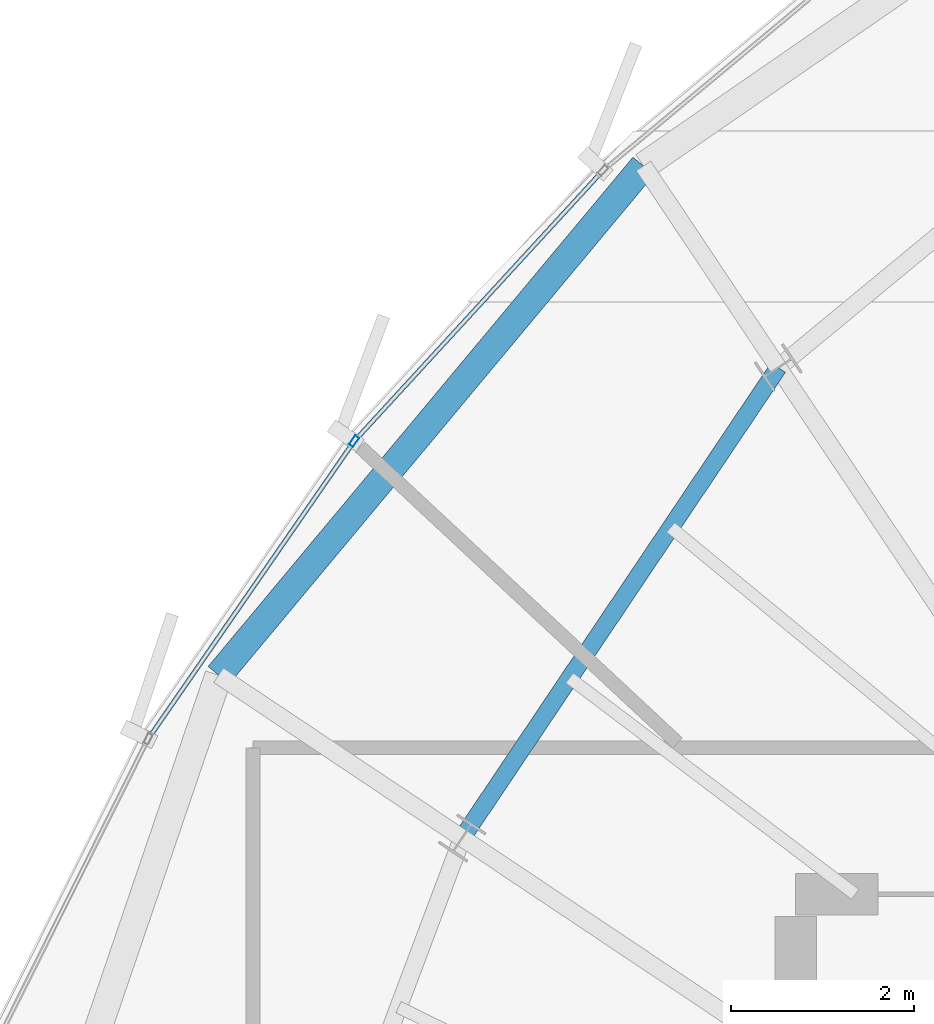
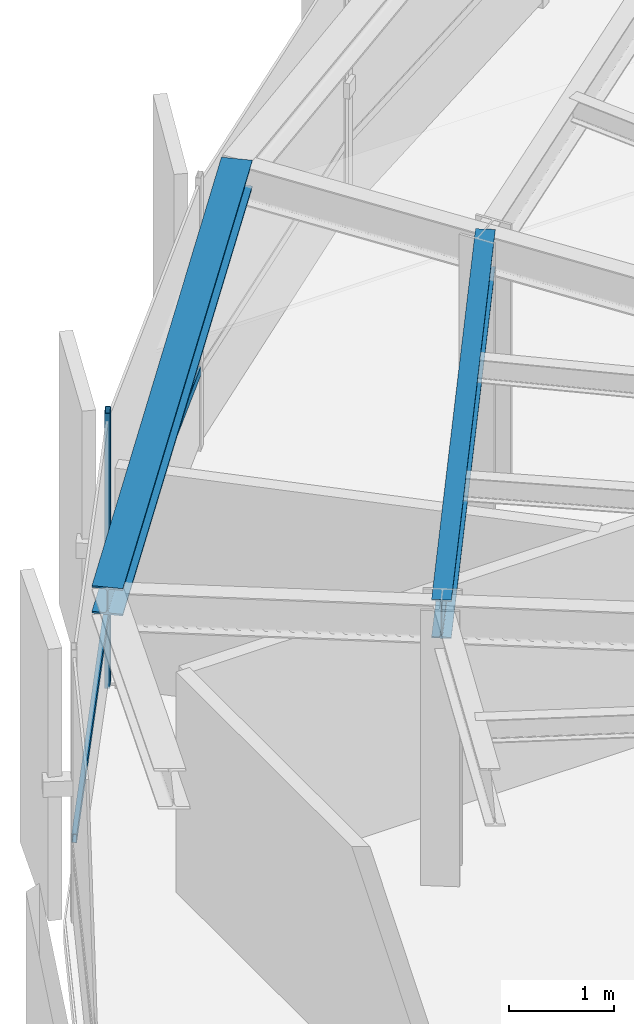
# One storey, part 17 of 32: 3 members, 2 beams, 1 element without a shape of its own.
"""IFC4 building model written with IfcOpenShell, lengths in metres."""

from ifc_helpers import new_model, si_unit, direction, frame, origin, origin_2d, place, context, subcontext, project, spatial, hollow_rectangle, i_section, extrude, source, transform, mapped, material, layer, layer_set, material_profile, profile_set, type_object, element, aggregate, save


model = new_model("IFC4")

# Units and contexts
model_context = context("Model", 3, precision=1e-05, world=origin(), true_north=direction((0.0, 1.0)))
body_context = subcontext(model_context, "Body", "Model", "MODEL_VIEW")
ifc_project = project(units=[si_unit("LENGTHUNIT", "METRE"), si_unit("AREAUNIT", "SQUARE_METRE"), si_unit("VOLUMEUNIT", "CUBIC_METRE"), si_unit("PLANEANGLEUNIT", "RADIAN"), si_unit("MASSUNIT", "GRAM", prefix="KILO"), si_unit("THERMODYNAMICTEMPERATUREUNIT", "KELVIN")], contexts=[model_context])

# Site, building, storey
site_placement = place(None, origin())
site = spatial("IfcSite", under=ifc_project, at=site_placement, CompositionType="ELEMENT")
building_placement = place(site_placement, origin())
building = spatial("IfcBuilding", under=site, at=building_placement, Name="Kethvar Cultural Tower", CompositionType="ELEMENT")
storey_placement = place(building_placement, frame((0.0, 0.0, 273.25)))
storey = spatial("IfcBuildingStorey", under=building, at=storey_placement, Name="L72", CompositionType="ELEMENT", Elevation=273.25)

# Beams
ifc_material_1 = material(Name="Steel S355J2", Category="steel")
ifc_material_profile_1 = material_profile(ifc_material_1, i_section(OverallWidth=0.18994140625, OverallDepth=0.449951171875, WebThickness=0.009521484375, FlangeThickness=0.0146484375, FilletRadius=0.02099609375, at=origin_2d()), Name="Steel S355J2 — IPE450")
ifc_profile_set_1 = profile_set([ifc_material_profile_1], Name="Steel S355J2 — IPE450")
beam_type_1 = type_object("IfcBeamType", Name="BM-IPE450", PredefinedType="BEAM", material=ifc_profile_set_1)
shared_shape_1 = source(origin(), body_context, "Body", "SweptSolid", [
    extrude(i_section(OverallWidth=0.18994140625, OverallDepth=0.449951171875, WebThickness=0.009521484375, FlangeThickness=0.0146484375, FilletRadius=0.02099609375, at=origin_2d()), origin(), (0.0, 0.0, 1.0), 6.192626953125),
])
beam_1_placement = place(storey_placement, frame((37.8095703125, 41.255126953125, 2.98291015625), z_axis=(-0.557698912025, -0.830043326295, 0.0), x_axis=(0.830043326295, -0.557698912025, 0.0)))
element("IfcBeam", 1, at=beam_1_placement, inside=storey, type_object=beam_type_1, Name="L72 Column Ring Tie Beam CR-06", PredefinedType="BEAM", context=body_context, shape_type="MappedRepresentation", body=[
    mapped(shared_shape_1, transform((0.0, 0.0, 0.0), scale=1.0)),
])
ifc_material_profile_2 = material_profile(ifc_material_1, i_section(OverallWidth=0.300048828125, OverallDepth=0.320068359375, WebThickness=0.011474609375, FlangeThickness=0.0205078125, FilletRadius=0.027099609375, at=origin_2d()), Name="Steel S355J2 — HEB320")
ifc_profile_set_2 = profile_set([ifc_material_profile_2], Name="Steel S355J2 — HEB320")
beam_type_2 = type_object("IfcBeamType", Name="BM-SP320", PredefinedType="SPANDREL", material=ifc_profile_set_2)
shared_shape_2 = source(origin(), body_context, "Body", "SweptSolid", [
    extrude(i_section(OverallWidth=0.300048828125, OverallDepth=0.320068359375, WebThickness=0.011474609375, FlangeThickness=0.0205078125, FilletRadius=0.027099609375, at=origin_2d()), origin(), (0.0, 0.0, 1.0), 7.247314453125),
])
beam_2_placement = place(storey_placement, frame((36.337890625, 43.457763671875, 3.048095703125), z_axis=(-0.640585238779, -0.76788706973, 0.0), x_axis=(0.76788706973, -0.640585238779, 0.0)))
element("IfcBeam", 2, at=beam_2_placement, inside=storey, type_object=beam_type_2, Name="L72 Perimeter Spandrel Beam SP-06", PredefinedType="SPANDREL", context=body_context, shape_type="MappedRepresentation", body=[
    mapped(shared_shape_2, transform((0.0, 0.0, 0.0), scale=1.0)),
])

# Curtain wall, members
ifc_material_2 = material(Name="Aluminium 6063-T6", Category="aluminium")
ifc_layer = layer(ifc_material_2, 0.179931640625, Name="Aluminium 6063-T6", Category="aluminium")
ifc_layer_set = layer_set([ifc_layer], Name="Aluminium 6063-T6 (180 mm)")
curtain_wall_type = type_object("IfcCurtainWallType", Name="CW-SYS-05-Z56", PredefinedType="NOTDEFINED", material=ifc_layer_set)
curtain_wall_placement = place(storey_placement, origin())
curtain_wall = element("IfcCurtainWall", 3, at=curtain_wall_placement, inside=storey, type_object=curtain_wall_type, Name="L72 Curtain Wall Run 02", PredefinedType="NOTDEFINED")
ifc_material_profile_3 = material_profile(ifc_material_2, hollow_rectangle(XDim=0.054931640625, YDim=0.1201171875, WallThickness=0.00390625, at=origin_2d()), Name="Aluminium 6063-T6 — RHS120x55x4")
ifc_profile_set_3 = profile_set([ifc_material_profile_3], Name="Aluminium 6063-T6 — RHS120x55x4")
member_type_1 = type_object("IfcMemberType", Name="CW-SYS-05-Z56-MUL", PredefinedType="MULLION", material=ifc_profile_set_3)
shared_shape_3 = source(origin(), body_context, "Body", "SweptSolid", [
    extrude(hollow_rectangle(XDim=0.054931640625, YDim=0.1201171875, WallThickness=0.00390625, at=origin_2d()), origin(), (0.0, 0.0, 1.0), 3.2099609375),
])
member_1_placement = place(storey_placement, frame((33.1748046875, 40.44921875, 0.0), z_axis=(0.0, 0.0, 1.0), x_axis=(0.822432073968, -0.568863326036, 0.0)))
member_1 = element("IfcMember", 4, at=member_1_placement, type_object=member_type_1, Name="CW-L72-R02 Mullion 3", PredefinedType="MULLION", context=body_context, shape_type="MappedRepresentation", body=[
    mapped(shared_shape_3, transform((0.0, 0.0, 0.0), scale=1.0)),
])
ifc_material_profile_4 = material_profile(ifc_material_2, hollow_rectangle(XDim=0.050048828125, YDim=0.10009765625, WallThickness=0.00390625, at=origin_2d()), Name="Aluminium 6063-T6 — RHS100x50x4")
ifc_profile_set_4 = profile_set([ifc_material_profile_4], Name="Aluminium 6063-T6 — RHS100x50x4")
member_type_2 = type_object("IfcMemberType", Name="CW-SYS-05-Z56-TRN", PredefinedType="USERDEFINED", material=ifc_profile_set_4)
shared_shape_4 = source(origin(), body_context, "Body", "SweptSolid", [
    extrude(hollow_rectangle(XDim=0.050048828125, YDim=0.10009765625, WallThickness=0.00390625, at=origin_2d()), origin(), (0.0, 0.0, 1.0), 3.8896484375),
])
member_2_placement = place(storey_placement, frame((33.15234375, 40.41650390625, 0.949951171875), z_axis=(-0.568857426979, -0.822436154221, 0.0), x_axis=(0.822436154221, -0.568857426979, 0.0)))
member_2 = element("IfcMember", 5, at=member_2_placement, type_object=member_type_2, Name="CW-L72-R02 Transom 3", ObjectType="TRANSOM", PredefinedType="USERDEFINED", context=body_context, shape_type="MappedRepresentation", body=[
    mapped(shared_shape_4, transform((0.0, 0.0, 0.0), scale=1.0)),
])
shared_shape_5 = source(origin(), body_context, "Body", "SweptSolid", [
    extrude(hollow_rectangle(XDim=0.050048828125, YDim=0.10009765625, WallThickness=0.00390625, at=origin_2d()), origin(), (0.0, 0.0, 1.0), 3.9521484375),
])
member_3_placement = place(storey_placement, frame((35.8671875, 43.377685546875, 0.949951171875), z_axis=(-0.676608090362, -0.736343324853, 0.0), x_axis=(0.736343324853, -0.676608090362, 0.0)))
member_3 = element("IfcMember", 6, at=member_3_placement, type_object=member_type_2, Name="CW-L72-R02 Transom 2", ObjectType="TRANSOM", PredefinedType="USERDEFINED", context=body_context, shape_type="MappedRepresentation", body=[
    mapped(shared_shape_5, transform((0.0, 0.0, 0.0), scale=1.0)),
])
aggregate(curtain_wall, [member_1, member_3, member_2])

save(model, "model.ifc")
